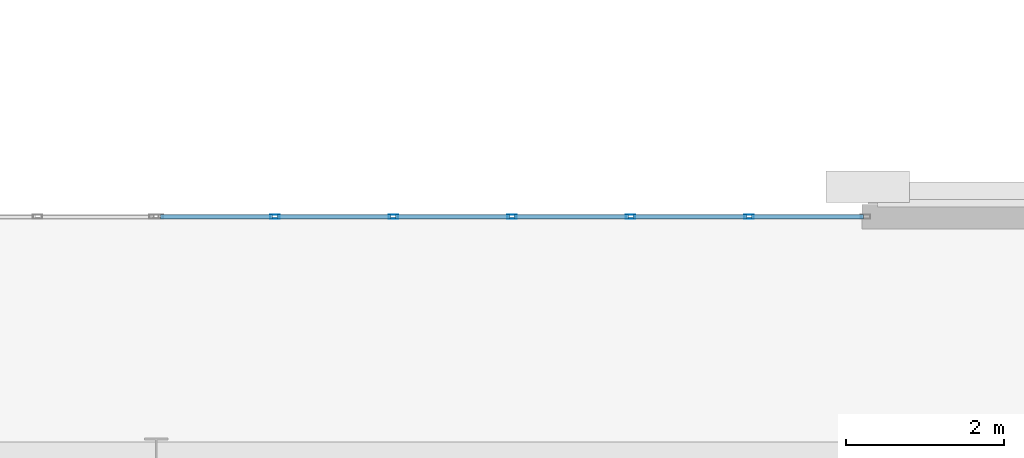
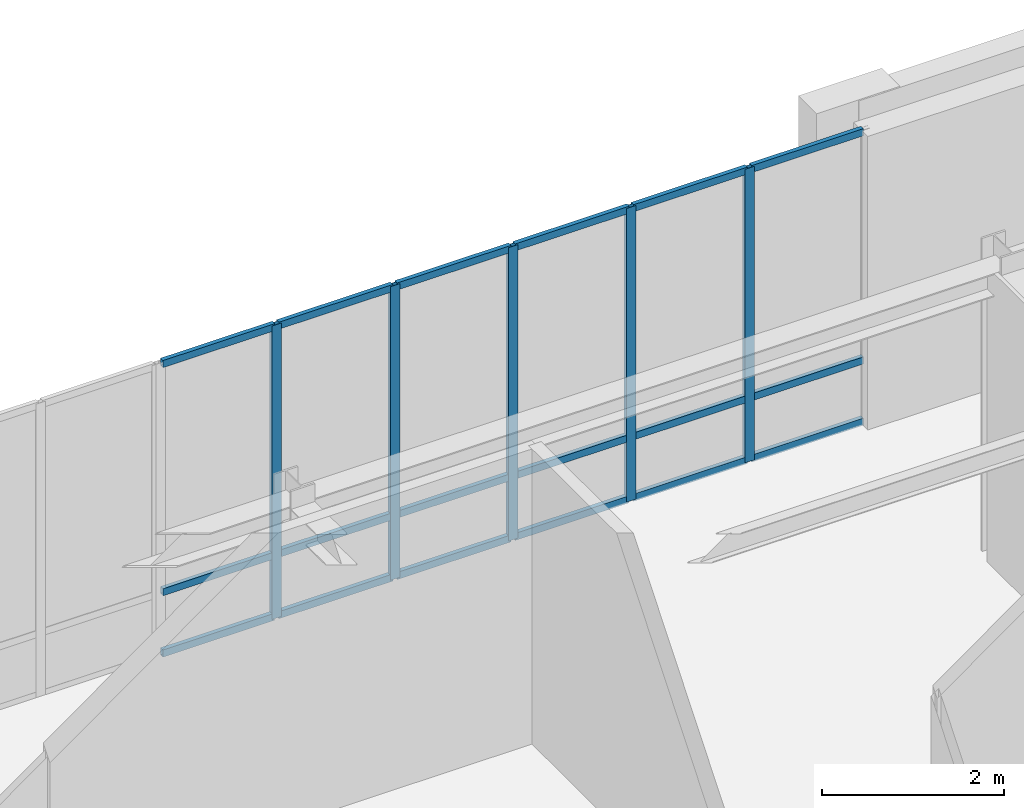
# One storey, part 42 of 130: 23 members, 1 element without a shape of its own.
"""IFC4 building model written with IfcOpenShell, lengths in metres."""

from ifc_helpers import new_model, si_unit, direction, frame, origin, origin_2d, place, context, subcontext, project, spatial, hollow_rectangle, extrude, material, material_profile, profile_set, type_object, element, aggregate, save


model = new_model("IFC4")

# Units and contexts
model_context = context("Model", 3, precision=1e-05, world=origin(), true_north=direction((0.0, 1.0)))
body_context = subcontext(model_context, "Body", "Model", "MODEL_VIEW")
ifc_project = project(units=[si_unit("LENGTHUNIT", "METRE"), si_unit("AREAUNIT", "SQUARE_METRE"), si_unit("VOLUMEUNIT", "CUBIC_METRE"), si_unit("PLANEANGLEUNIT", "RADIAN"), si_unit("MASSUNIT", "GRAM", prefix="KILO")], contexts=[model_context])

# Site, building, storey
site_placement = place(None, origin())
site = spatial("IfcSite", under=ifc_project, at=site_placement, CompositionType="ELEMENT")
building_placement = place(site_placement, origin())
building = spatial("IfcBuilding", under=site, at=building_placement, Name="Lykobir Media Centre", CompositionType="ELEMENT")
storey_placement = place(building_placement, frame((0.0, 0.0, 19.199951171875)))
storey = spatial("IfcBuildingStorey", under=building, at=storey_placement, Name="L04", CompositionType="ELEMENT", Elevation=19.199951171875)

# Curtain wall, members
ifc_material = material(Name="Anodized Aluminium AW-6060", Category="aluminium")
curtain_wall_type = type_object("IfcCurtainWallType", Name="CW-COURT-B", PredefinedType="NOTDEFINED", material=ifc_material)
curtain_wall_placement = place(storey_placement, origin())
curtain_wall = element("IfcCurtainWall", 1, at=curtain_wall_placement, inside=storey, type_object=curtain_wall_type, Name="Curtain wall CW2-L04-0153", PredefinedType="NOTDEFINED")
ifc_material_profile_1 = material_profile(ifc_material, hollow_rectangle(XDim=0.054931640625, YDim=0.1201171875, WallThickness=0.003173828125, at=origin_2d()), Name="ALU MULLION 55x120")
ifc_profile_set_1 = profile_set([ifc_material_profile_1], Name="Anodized Aluminium AW-6060")
member_type_1 = type_object("IfcMemberType", Name="CWM-120", PredefinedType="MULLION", material=ifc_profile_set_1)
member_1_placement = place(storey_placement, frame((64.5, 21.0, 0.0), z_axis=(0.0, 0.0, 1.0), x_axis=(0.0, 1.0, 0.0)))
member_1 = element("IfcMember", 2, at=member_1_placement, type_object=member_type_1, Name="CW2-L04-0153 mullion 2", PredefinedType="MULLION", context=body_context, shape_type="SweptSolid", body=[
    extrude(hollow_rectangle(XDim=0.054931640625, YDim=0.1201171875, WallThickness=0.003173828125, at=origin_2d()), origin(), (0.0, 0.0, 1.0), 3.93994140625),
])
member_2_placement = place(storey_placement, frame((66.0, 21.0, 0.0), z_axis=(0.0, 0.0, 1.0), x_axis=(0.0, 1.0, 0.0)))
member_2 = element("IfcMember", 3, at=member_2_placement, type_object=member_type_1, Name="CW2-L04-0153 mullion 3", PredefinedType="MULLION", context=body_context, shape_type="SweptSolid", body=[
    extrude(hollow_rectangle(XDim=0.054931640625, YDim=0.1201171875, WallThickness=0.003173828125, at=origin_2d()), origin(), (0.0, 0.0, 1.0), 3.93994140625),
])
member_3_placement = place(storey_placement, frame((67.5, 21.0, 0.0), z_axis=(0.0, 0.0, 1.0), x_axis=(0.0, 1.0, 0.0)))
member_3 = element("IfcMember", 4, at=member_3_placement, type_object=member_type_1, Name="CW2-L04-0153 mullion 4", PredefinedType="MULLION", context=body_context, shape_type="SweptSolid", body=[
    extrude(hollow_rectangle(XDim=0.054931640625, YDim=0.1201171875, WallThickness=0.003173828125, at=origin_2d()), origin(), (0.0, 0.0, 1.0), 3.93994140625),
])
member_4_placement = place(storey_placement, frame((69.0, 21.0, 0.0), z_axis=(0.0, 0.0, 1.0), x_axis=(0.0, 1.0, 0.0)))
member_4 = element("IfcMember", 5, at=member_4_placement, type_object=member_type_1, Name="CW2-L04-0153 mullion 5", PredefinedType="MULLION", context=body_context, shape_type="SweptSolid", body=[
    extrude(hollow_rectangle(XDim=0.054931640625, YDim=0.1201171875, WallThickness=0.003173828125, at=origin_2d()), origin(), (0.0, 0.0, 1.0), 3.93994140625),
])
member_5_placement = place(storey_placement, frame((70.5, 21.0, 0.0), z_axis=(0.0, 0.0, 1.0), x_axis=(0.0, 1.0, 0.0)))
member_5 = element("IfcMember", 6, at=member_5_placement, type_object=member_type_1, Name="CW2-L04-0153 mullion 6", PredefinedType="MULLION", context=body_context, shape_type="SweptSolid", body=[
    extrude(hollow_rectangle(XDim=0.054931640625, YDim=0.1201171875, WallThickness=0.003173828125, at=origin_2d()), origin(), (0.0, 0.0, 1.0), 3.93994140625),
])
ifc_material_profile_2 = material_profile(ifc_material, hollow_rectangle(XDim=0.054931640625, YDim=0.094970703125, WallThickness=0.0029296875, at=origin_2d()), Name="ALU TRANSOM 55x95")
ifc_profile_set_2 = profile_set([ifc_material_profile_2], Name="Anodized Aluminium AW-6060")
member_type_2 = type_object("IfcMemberType", Name="CWT-095", PredefinedType="USERDEFINED", material=ifc_profile_set_2)
member_6_placement = place(storey_placement, frame((63.054931640625, 21.0, 0.027587890625), z_axis=(1.0, 0.0, 0.0), x_axis=(0.0, 1.0, 0.0)))
member_6 = element("IfcMember", 7, at=member_6_placement, type_object=member_type_2, Name="CW2-L04-0153 transom 1.1", ObjectType="TRANSOM", PredefinedType="USERDEFINED", context=body_context, shape_type="SweptSolid", body=[
    extrude(hollow_rectangle(XDim=0.054931640625, YDim=0.094970703125, WallThickness=0.0029296875, at=origin_2d()), origin(), (0.0, 0.0, 1.0), 1.41748046875),
])
member_7_placement = place(storey_placement, frame((63.054931640625, 21.0, 0.85009765625), z_axis=(1.0, 0.0, 0.0), x_axis=(0.0, 1.0, 0.0)))
member_7 = element("IfcMember", 8, at=member_7_placement, type_object=member_type_2, Name="CW2-L04-0153 transom 1.2", ObjectType="TRANSOM", PredefinedType="USERDEFINED", context=body_context, shape_type="SweptSolid", body=[
    extrude(hollow_rectangle(XDim=0.054931640625, YDim=0.094970703125, WallThickness=0.0029296875, at=origin_2d()), origin(), (0.0, 0.0, 1.0), 1.41748046875),
])
member_8_placement = place(storey_placement, frame((63.054931640625, 21.0, 3.91259765625), z_axis=(1.0, 0.0, 0.0), x_axis=(0.0, 1.0, 0.0)))
member_8 = element("IfcMember", 9, at=member_8_placement, type_object=member_type_2, Name="CW2-L04-0153 transom 1.3", ObjectType="TRANSOM", PredefinedType="USERDEFINED", context=body_context, shape_type="SweptSolid", body=[
    extrude(hollow_rectangle(XDim=0.054931640625, YDim=0.094970703125, WallThickness=0.0029296875, at=origin_2d()), origin(), (0.0, 0.0, 1.0), 1.41748046875),
])
member_9_placement = place(storey_placement, frame((64.527587890625, 21.0, 0.027587890625), z_axis=(1.0, 0.0, 0.0), x_axis=(0.0, 1.0, 0.0)))
member_9 = element("IfcMember", 10, at=member_9_placement, type_object=member_type_2, Name="CW2-L04-0153 transom 2.1", ObjectType="TRANSOM", PredefinedType="USERDEFINED", context=body_context, shape_type="SweptSolid", body=[
    extrude(hollow_rectangle(XDim=0.054931640625, YDim=0.094970703125, WallThickness=0.0029296875, at=origin_2d()), origin(), (0.0, 0.0, 1.0), 1.44482421875),
])
member_10_placement = place(storey_placement, frame((64.527587890625, 21.0, 0.85009765625), z_axis=(1.0, 0.0, 0.0), x_axis=(0.0, 1.0, 0.0)))
member_10 = element("IfcMember", 11, at=member_10_placement, type_object=member_type_2, Name="CW2-L04-0153 transom 2.2", ObjectType="TRANSOM", PredefinedType="USERDEFINED", context=body_context, shape_type="SweptSolid", body=[
    extrude(hollow_rectangle(XDim=0.054931640625, YDim=0.094970703125, WallThickness=0.0029296875, at=origin_2d()), origin(), (0.0, 0.0, 1.0), 1.44482421875),
])
member_11_placement = place(storey_placement, frame((64.527587890625, 21.0, 3.91259765625), z_axis=(1.0, 0.0, 0.0), x_axis=(0.0, 1.0, 0.0)))
member_11 = element("IfcMember", 12, at=member_11_placement, type_object=member_type_2, Name="CW2-L04-0153 transom 2.3", ObjectType="TRANSOM", PredefinedType="USERDEFINED", context=body_context, shape_type="SweptSolid", body=[
    extrude(hollow_rectangle(XDim=0.054931640625, YDim=0.094970703125, WallThickness=0.0029296875, at=origin_2d()), origin(), (0.0, 0.0, 1.0), 1.44482421875),
])
member_12_placement = place(storey_placement, frame((66.027587890625, 21.0, 0.027587890625), z_axis=(1.0, 0.0, 0.0), x_axis=(0.0, 1.0, 0.0)))
member_12 = element("IfcMember", 13, at=member_12_placement, type_object=member_type_2, Name="CW2-L04-0153 transom 3.1", ObjectType="TRANSOM", PredefinedType="USERDEFINED", context=body_context, shape_type="SweptSolid", body=[
    extrude(hollow_rectangle(XDim=0.054931640625, YDim=0.094970703125, WallThickness=0.0029296875, at=origin_2d()), origin(), (0.0, 0.0, 1.0), 1.44482421875),
])
member_13_placement = place(storey_placement, frame((66.027587890625, 21.0, 0.85009765625), z_axis=(1.0, 0.0, 0.0), x_axis=(0.0, 1.0, 0.0)))
member_13 = element("IfcMember", 14, at=member_13_placement, type_object=member_type_2, Name="CW2-L04-0153 transom 3.2", ObjectType="TRANSOM", PredefinedType="USERDEFINED", context=body_context, shape_type="SweptSolid", body=[
    extrude(hollow_rectangle(XDim=0.054931640625, YDim=0.094970703125, WallThickness=0.0029296875, at=origin_2d()), origin(), (0.0, 0.0, 1.0), 1.44482421875),
])
member_14_placement = place(storey_placement, frame((66.027587890625, 21.0, 3.91259765625), z_axis=(1.0, 0.0, 0.0), x_axis=(0.0, 1.0, 0.0)))
member_14 = element("IfcMember", 15, at=member_14_placement, type_object=member_type_2, Name="CW2-L04-0153 transom 3.3", ObjectType="TRANSOM", PredefinedType="USERDEFINED", context=body_context, shape_type="SweptSolid", body=[
    extrude(hollow_rectangle(XDim=0.054931640625, YDim=0.094970703125, WallThickness=0.0029296875, at=origin_2d()), origin(), (0.0, 0.0, 1.0), 1.44482421875),
])
member_15_placement = place(storey_placement, frame((67.527587890625, 21.0, 0.027587890625), z_axis=(1.0, 0.0, 0.0), x_axis=(0.0, 1.0, 0.0)))
member_15 = element("IfcMember", 16, at=member_15_placement, type_object=member_type_2, Name="CW2-L04-0153 transom 4.1", ObjectType="TRANSOM", PredefinedType="USERDEFINED", context=body_context, shape_type="SweptSolid", body=[
    extrude(hollow_rectangle(XDim=0.054931640625, YDim=0.094970703125, WallThickness=0.0029296875, at=origin_2d()), origin(), (0.0, 0.0, 1.0), 1.44482421875),
])
member_16_placement = place(storey_placement, frame((67.527587890625, 21.0, 0.85009765625), z_axis=(1.0, 0.0, 0.0), x_axis=(0.0, 1.0, 0.0)))
member_16 = element("IfcMember", 17, at=member_16_placement, type_object=member_type_2, Name="CW2-L04-0153 transom 4.2", ObjectType="TRANSOM", PredefinedType="USERDEFINED", context=body_context, shape_type="SweptSolid", body=[
    extrude(hollow_rectangle(XDim=0.054931640625, YDim=0.094970703125, WallThickness=0.0029296875, at=origin_2d()), origin(), (0.0, 0.0, 1.0), 1.44482421875),
])
member_17_placement = place(storey_placement, frame((67.527587890625, 21.0, 3.91259765625), z_axis=(1.0, 0.0, 0.0), x_axis=(0.0, 1.0, 0.0)))
member_17 = element("IfcMember", 18, at=member_17_placement, type_object=member_type_2, Name="CW2-L04-0153 transom 4.3", ObjectType="TRANSOM", PredefinedType="USERDEFINED", context=body_context, shape_type="SweptSolid", body=[
    extrude(hollow_rectangle(XDim=0.054931640625, YDim=0.094970703125, WallThickness=0.0029296875, at=origin_2d()), origin(), (0.0, 0.0, 1.0), 1.44482421875),
])
member_18_placement = place(storey_placement, frame((69.027587890625, 21.0, 0.027587890625), z_axis=(1.0, 0.0, 0.0), x_axis=(0.0, 1.0, 0.0)))
member_18 = element("IfcMember", 19, at=member_18_placement, type_object=member_type_2, Name="CW2-L04-0153 transom 5.1", ObjectType="TRANSOM", PredefinedType="USERDEFINED", context=body_context, shape_type="SweptSolid", body=[
    extrude(hollow_rectangle(XDim=0.054931640625, YDim=0.094970703125, WallThickness=0.0029296875, at=origin_2d()), origin(), (0.0, 0.0, 1.0), 1.44482421875),
])
member_19_placement = place(storey_placement, frame((69.027587890625, 21.0, 0.85009765625), z_axis=(1.0, 0.0, 0.0), x_axis=(0.0, 1.0, 0.0)))
member_19 = element("IfcMember", 20, at=member_19_placement, type_object=member_type_2, Name="CW2-L04-0153 transom 5.2", ObjectType="TRANSOM", PredefinedType="USERDEFINED", context=body_context, shape_type="SweptSolid", body=[
    extrude(hollow_rectangle(XDim=0.054931640625, YDim=0.094970703125, WallThickness=0.0029296875, at=origin_2d()), origin(), (0.0, 0.0, 1.0), 1.44482421875),
])
member_20_placement = place(storey_placement, frame((69.027587890625, 21.0, 3.91259765625), z_axis=(1.0, 0.0, 0.0), x_axis=(0.0, 1.0, 0.0)))
member_20 = element("IfcMember", 21, at=member_20_placement, type_object=member_type_2, Name="CW2-L04-0153 transom 5.3", ObjectType="TRANSOM", PredefinedType="USERDEFINED", context=body_context, shape_type="SweptSolid", body=[
    extrude(hollow_rectangle(XDim=0.054931640625, YDim=0.094970703125, WallThickness=0.0029296875, at=origin_2d()), origin(), (0.0, 0.0, 1.0), 1.44482421875),
])
member_21_placement = place(storey_placement, frame((70.527587890625, 21.0, 0.027587890625), z_axis=(1.0, 0.0, 0.0), x_axis=(0.0, 1.0, 0.0)))
member_21 = element("IfcMember", 22, at=member_21_placement, type_object=member_type_2, Name="CW2-L04-0153 transom 6.1", ObjectType="TRANSOM", PredefinedType="USERDEFINED", context=body_context, shape_type="SweptSolid", body=[
    extrude(hollow_rectangle(XDim=0.054931640625, YDim=0.094970703125, WallThickness=0.0029296875, at=origin_2d()), origin(), (0.0, 0.0, 1.0), 1.41748046875),
])
member_22_placement = place(storey_placement, frame((70.527587890625, 21.0, 0.85009765625), z_axis=(1.0, 0.0, 0.0), x_axis=(0.0, 1.0, 0.0)))
member_22 = element("IfcMember", 23, at=member_22_placement, type_object=member_type_2, Name="CW2-L04-0153 transom 6.2", ObjectType="TRANSOM", PredefinedType="USERDEFINED", context=body_context, shape_type="SweptSolid", body=[
    extrude(hollow_rectangle(XDim=0.054931640625, YDim=0.094970703125, WallThickness=0.0029296875, at=origin_2d()), origin(), (0.0, 0.0, 1.0), 1.41748046875),
])
member_23_placement = place(storey_placement, frame((70.527587890625, 21.0, 3.91259765625), z_axis=(1.0, 0.0, 0.0), x_axis=(0.0, 1.0, 0.0)))
member_23 = element("IfcMember", 24, at=member_23_placement, type_object=member_type_2, Name="CW2-L04-0153 transom 6.3", ObjectType="TRANSOM", PredefinedType="USERDEFINED", context=body_context, shape_type="SweptSolid", body=[
    extrude(hollow_rectangle(XDim=0.054931640625, YDim=0.094970703125, WallThickness=0.0029296875, at=origin_2d()), origin(), (0.0, 0.0, 1.0), 1.41748046875),
])
aggregate(curtain_wall, [member_1, member_2, member_3, member_4, member_5, member_6, member_7, member_8, member_9, member_10, member_11, member_12, member_13, member_14, member_15, member_16, member_17, member_18, member_19, member_20, member_21, member_22, member_23])

save(model, "model.ifc")
